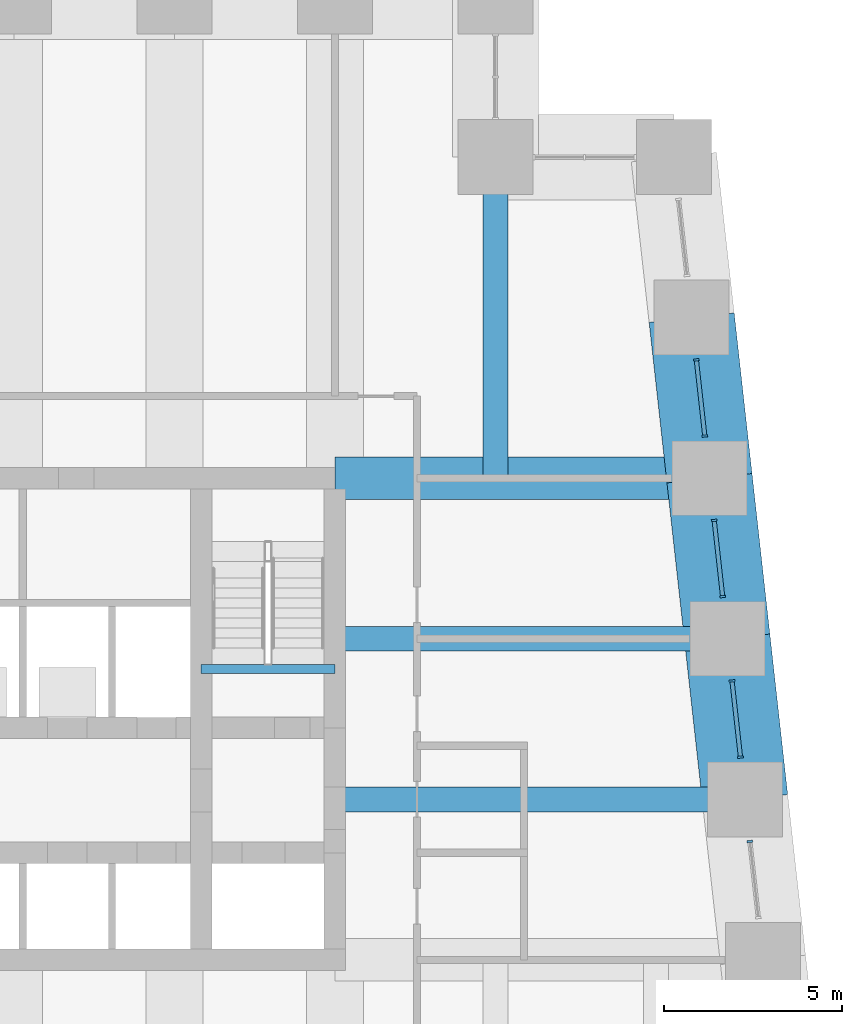
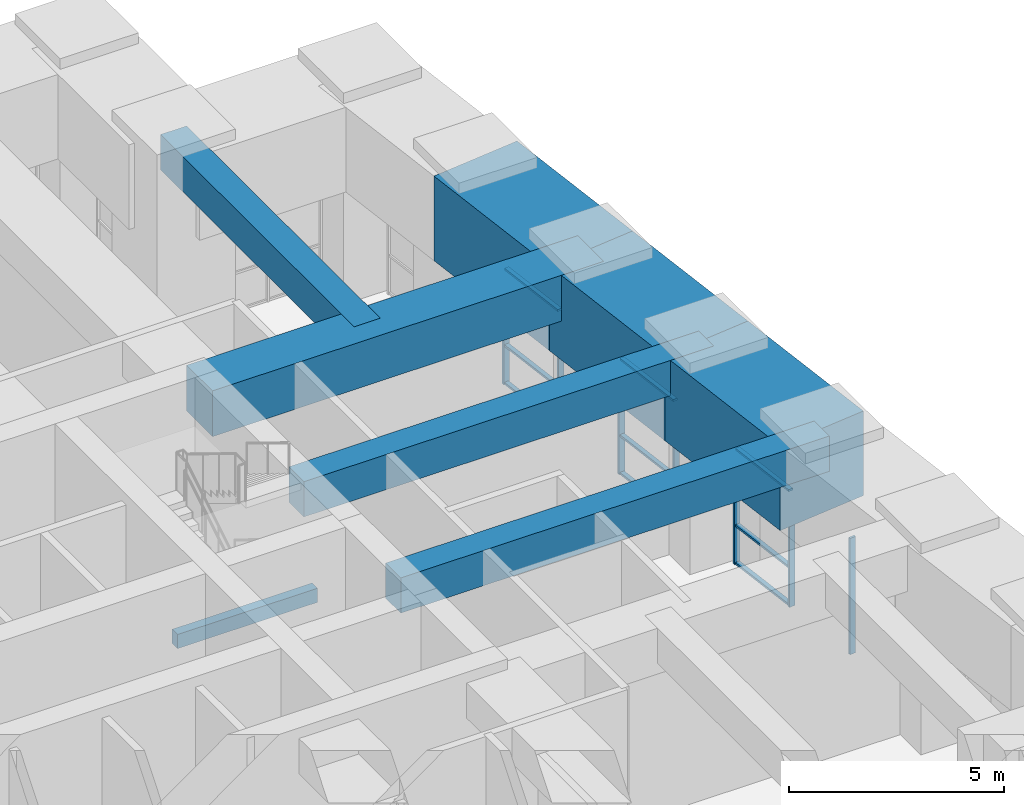
# One storey, part 6 of 17: 16 members, 8 beams, 4 elements without a shape of their own.
"""IFC4 building model written with IfcOpenShell, lengths in metres."""

from ifc_helpers import new_model, si_unit, direction, frame, origin, origin_2d, place, context, subcontext, project, spatial, rectangle, extrude, material, material_profile, profile_set, type_object, element, aggregate, save


model = new_model("IFC4")

# Units and contexts
model_context = context("Model", 3, precision=1e-05, world=origin(), true_north=direction((0.0, 1.0)))
body_context = subcontext(model_context, "Body", "Model", "MODEL_VIEW")
ifc_project = project(units=[si_unit("LENGTHUNIT", "METRE"), si_unit("AREAUNIT", "SQUARE_METRE"), si_unit("VOLUMEUNIT", "CUBIC_METRE"), si_unit("PLANEANGLEUNIT", "RADIAN"), si_unit("MASSUNIT", "GRAM", prefix="KILO")], contexts=[model_context])

# Site, building, storey
site_placement = place(None, origin())
site = spatial("IfcSite", under=ifc_project, at=site_placement, CompositionType="ELEMENT")
building_placement = place(site_placement, origin())
building = spatial("IfcBuilding", under=site, at=building_placement, Name="Kilele Tower Hotel", CompositionType="ELEMENT")
storey_placement = place(building_placement, frame((0.0, 0.0, 145.89990234375)))
storey = spatial("IfcBuildingStorey", under=building, at=storey_placement, Name="L38", CompositionType="ELEMENT", Elevation=145.89990234375)

# Beams
ifc_material_1 = material(Name="Concrete C60/75", Category="concrete")
ifc_material_profile_1 = material_profile(ifc_material_1, rectangle(XDim=0.699951171875, YDim=1.0, at=origin_2d()))
ifc_profile_set_1 = profile_set([ifc_material_profile_1], Name="Concrete C60/75")
beam_type_1 = type_object("IfcBeamType", Name="Beam RC 700x1000 C60/75 mid span", PredefinedType="BEAM", material=ifc_profile_set_1)
beam_1_placement = place(storey_placement, frame((47.5, 18.0, 5.2001953125), z_axis=(-1.0, 0.0, 0.0), x_axis=(0.0, -1.0, 0.0)))
element("IfcBeam", 1, at=beam_1_placement, inside=storey, type_object=beam_type_1, Name="Beam B5 level L39", PredefinedType="BEAM", context=body_context, shape_type="SweptSolid", body=[
    extrude(rectangle(XDim=0.699951171875, YDim=1.0, at=origin_2d()), origin(), (0.0, 0.0, 1.0), 11.5),
])
beam_2_placement = place(storey_placement, frame((47.0, 22.5, 5.2001953125), z_axis=(-1.0, 0.0, 0.0), x_axis=(0.0, -1.0, 0.0)))
element("IfcBeam", 2, at=beam_2_placement, inside=storey, type_object=beam_type_1, Name="Beam B5 level L39", PredefinedType="BEAM", context=body_context, shape_type="SweptSolid", body=[
    extrude(rectangle(XDim=0.699951171875, YDim=1.0, at=origin_2d()), origin(), (0.0, 0.0, 1.0), 11.0),
])
beam_3_placement = place(storey_placement, frame((40.5, 36.0, 5.2001953125), z_axis=(0.0, -1.0, 0.0), x_axis=(1.0, 0.0, 0.0)))
element("IfcBeam", 3, at=beam_3_placement, inside=storey, type_object=beam_type_1, Name="Beam B5 level L39", PredefinedType="BEAM", context=body_context, shape_type="SweptSolid", body=[
    extrude(rectangle(XDim=0.699951171875, YDim=1.0, at=origin_2d()), origin(), (0.0, 0.0, 1.0), 9.0),
])
ifc_material_2 = material(Name="Concrete C60/75", Category="concrete")
ifc_material_profile_2 = material_profile(ifc_material_2, rectangle(XDim=1.199951171875, YDim=1.300048828125, at=origin_2d()))
ifc_profile_set_2 = profile_set([ifc_material_profile_2], Name="Concrete C60/75")
beam_type_2 = type_object("IfcBeamType", Name="Girder RC 1200x1300 C60/75 mid span", PredefinedType="BEAM", material=ifc_profile_set_2)
beam_4_placement = place(storey_placement, frame((46.5, 27.0, 5.050048828125), z_axis=(-1.0, 0.0, 0.0), x_axis=(0.0, -1.0, 0.0)))
element("IfcBeam", 4, at=beam_4_placement, inside=storey, type_object=beam_type_2, Name="Girder G3 level L39", PredefinedType="BEAM", context=body_context, shape_type="SweptSolid", body=[
    extrude(rectangle(XDim=1.199951171875, YDim=1.300048828125, at=origin_2d()), origin(), (0.0, 0.0, 1.0), 10.5),
])
ifc_material_3 = material(Name="Concrete C40/50", Category="concrete")
ifc_material_profile_3 = material_profile(ifc_material_3, rectangle(XDim=0.25, YDim=0.39990234375, at=origin_2d()))
ifc_profile_set_3 = profile_set([ifc_material_profile_3], Name="Concrete C40/50")
beam_type_3 = type_object("IfcBeamType", Name="Landing beam RC 250x400 C40/50", PredefinedType="BEAM", material=ifc_profile_set_3)
beam_5_placement = place(storey_placement, frame((32.25, 21.64990234375, 2.857177734375), z_axis=(1.0, 0.0, 0.0), x_axis=(0.0, 1.0, 0.0)))
element("IfcBeam", 5, at=beam_5_placement, inside=storey, type_object=beam_type_3, Name="Landing beam ST2 L38", PredefinedType="BEAM", context=body_context, shape_type="SweptSolid", body=[
    extrude(rectangle(XDim=0.25, YDim=0.39990234375, at=origin_2d()), origin(), (0.0, 0.0, 1.0), 3.75),
])

# Curtain wall, member
ifc_material_4 = material(Name="Aluminium curtain wall, clear double glazing", Category="aluminium")
curtain_wall_type = type_object("IfcCurtainWallType", Name="Sky lobby curtain wall CW-3", PredefinedType="NOTDEFINED", material=ifc_material_4)
curtain_wall_1_placement = place(storey_placement, origin())
curtain_wall_1 = element("IfcCurtainWall", 6, at=curtain_wall_1_placement, inside=storey, type_object=curtain_wall_type, Name="Sky lobby curtain wall CW-3 L38", PredefinedType="NOTDEFINED")
ifc_material_5 = material(Name="Aluminium EN AW-6063 T6", Category="aluminium")
ifc_material_profile_4 = material_profile(ifc_material_5, rectangle(XDim=0.159912109375, YDim=0.06005859375, at=origin_2d()))
ifc_profile_set_4 = profile_set([ifc_material_profile_4], Name="Aluminium EN AW-6063 T6")
member_type_1 = type_object("IfcMemberType", Name="Mullion 60x160 CW-3", PredefinedType="MULLION", material=ifc_profile_set_4)
member_1_placement = place(storey_placement, frame((47.63134765625, 16.817626953125, 0.0), z_axis=(0.0, 0.0, 1.0), x_axis=(-0.993883734629, -0.110431526475, 0.0)))
member_1 = element("IfcMember", 7, at=member_1_placement, type_object=member_type_1, Name="CW-3 mullion 2", PredefinedType="MULLION", context=body_context, shape_type="SweptSolid", body=[
    extrude(rectangle(XDim=0.159912109375, YDim=0.06005859375, at=origin_2d()), origin(), (0.0, 0.0, 1.0), 3.300048828125),
])
aggregate(curtain_wall_1, [member_1])

# Curtain wall, members
curtain_wall_2_placement = place(storey_placement, origin())
curtain_wall_2 = element("IfcCurtainWall", 8, at=curtain_wall_2_placement, inside=storey, type_object=curtain_wall_type, Name="Sky lobby curtain wall CW-3 L38", PredefinedType="NOTDEFINED")
member_2_placement = place(storey_placement, frame((47.36865234375, 19.182373046875, 0.0), z_axis=(0.0, 0.0, 1.0), x_axis=(-0.993883734629, -0.110431526475, 0.0)))
member_2 = element("IfcMember", 9, at=member_2_placement, type_object=member_type_1, Name="CW-3 mullion 1", PredefinedType="MULLION", context=body_context, shape_type="SweptSolid", body=[
    extrude(rectangle(XDim=0.159912109375, YDim=0.06005859375, at=origin_2d()), origin(), (0.0, 0.0, 1.0), 3.300048828125),
])
member_3_placement = place(storey_placement, frame((47.13134765625, 21.317626953125, 0.0), z_axis=(0.0, 0.0, 1.0), x_axis=(-0.993883734629, -0.110431526475, 0.0)))
member_3 = element("IfcMember", 10, at=member_3_placement, type_object=member_type_1, Name="CW-3 mullion 2", PredefinedType="MULLION", context=body_context, shape_type="SweptSolid", body=[
    extrude(rectangle(XDim=0.159912109375, YDim=0.06005859375, at=origin_2d()), origin(), (0.0, 0.0, 1.0), 3.300048828125),
])

curtain_wall_3_placement = place(storey_placement, origin())
curtain_wall_3 = element("IfcCurtainWall", 11, at=curtain_wall_3_placement, inside=storey, type_object=curtain_wall_type, Name="Sky lobby curtain wall CW-3 L38", PredefinedType="NOTDEFINED")
member_4_placement = place(storey_placement, frame((46.86865234375, 23.682373046875, 0.0), z_axis=(0.0, 0.0, 1.0), x_axis=(-0.993883734629, -0.110431526475, 0.0)))
member_4 = element("IfcMember", 12, at=member_4_placement, type_object=member_type_1, Name="CW-3 mullion 1", PredefinedType="MULLION", context=body_context, shape_type="SweptSolid", body=[
    extrude(rectangle(XDim=0.159912109375, YDim=0.06005859375, at=origin_2d()), origin(), (0.0, 0.0, 1.0), 3.300048828125),
])
member_5_placement = place(storey_placement, frame((46.63134765625, 25.817626953125, 0.0), z_axis=(0.0, 0.0, 1.0), x_axis=(-0.993883734629, -0.110431526475, 0.0)))
member_5 = element("IfcMember", 13, at=member_5_placement, type_object=member_type_1, Name="CW-3 mullion 2", PredefinedType="MULLION", context=body_context, shape_type="SweptSolid", body=[
    extrude(rectangle(XDim=0.159912109375, YDim=0.06005859375, at=origin_2d()), origin(), (0.0, 0.0, 1.0), 3.300048828125),
])

curtain_wall_4_placement = place(storey_placement, origin())
curtain_wall_4 = element("IfcCurtainWall", 14, at=curtain_wall_4_placement, inside=storey, type_object=curtain_wall_type, Name="Sky lobby curtain wall CW-3 L38", PredefinedType="NOTDEFINED")
member_6_placement = place(storey_placement, frame((46.36865234375, 28.182373046875, 0.0), z_axis=(0.0, 0.0, 1.0), x_axis=(-0.993883734629, -0.110431526475, 0.0)))
member_6 = element("IfcMember", 15, at=member_6_placement, type_object=member_type_1, Name="CW-3 mullion 1", PredefinedType="MULLION", context=body_context, shape_type="SweptSolid", body=[
    extrude(rectangle(XDim=0.159912109375, YDim=0.06005859375, at=origin_2d()), origin(), (0.0, 0.0, 1.0), 3.300048828125),
])
member_7_placement = place(storey_placement, frame((46.13134765625, 30.317626953125, 0.0), z_axis=(0.0, 0.0, 1.0), x_axis=(-0.993883734629, -0.110431526475, 0.0)))
member_7 = element("IfcMember", 16, at=member_7_placement, type_object=member_type_1, Name="CW-3 mullion 2", PredefinedType="MULLION", context=body_context, shape_type="SweptSolid", body=[
    extrude(rectangle(XDim=0.159912109375, YDim=0.06005859375, at=origin_2d()), origin(), (0.0, 0.0, 1.0), 3.300048828125),
])

# Beams
ifc_material_6 = material(Name="Concrete C60/75", Category="concrete")
ifc_material_profile_5 = material_profile(ifc_material_6, rectangle(XDim=2.39990234375, YDim=2.39990234375, at=origin_2d()))
ifc_profile_set_5 = profile_set([ifc_material_profile_5], Name="Concrete C60/75")
beam_type_4 = type_object("IfcBeamType", Name="Spandrel RC 2400x2400 C60/75", PredefinedType="SPANDREL", material=ifc_profile_set_5)
for number, where, z_axis, x_axis, name in (
    (17, (47.5, 18.0, 4.5), (-0.110431526075, 0.993883734674, 0.0), (-0.993883734674, -0.110431526075, 0.0), "Spandrel SP15 level L39"),
    (18, (47.0, 22.5, 4.5), (-0.110431526075, 0.993883734674, 0.0), (-0.993883734674, -0.110431526075, 0.0), "Spandrel SP15 level L39"),
    (19, (46.5, 27.0, 4.5), (-0.110431526075, 0.993883734674, 0.0), (-0.993883734674, -0.110431526075, 0.0), "Spandrel SP15 level L39"),
):
    element("IfcBeam", number, at=place(storey_placement, frame(where, z_axis=z_axis, x_axis=x_axis)), inside=storey, type_object=beam_type_4, Name=name, PredefinedType="SPANDREL", context=body_context, shape_type="SweptSolid", body=[
        extrude(rectangle(XDim=2.39990234375, YDim=2.39990234375, at=origin_2d()), origin(), (0.0, 0.0, 1.0), 4.527587890625),
    ])

# Member
ifc_material_7 = material(Name="Aluminium EN AW-6063 T6", Category="aluminium")
ifc_material_profile_6 = material_profile(ifc_material_7, rectangle(XDim=0.1201171875, YDim=0.06005859375, at=origin_2d()))
ifc_profile_set_6 = profile_set([ifc_material_profile_6], Name="Aluminium EN AW-6063 T6")
member_type_2 = type_object("IfcMemberType", Name="Transom 60x120 CW-3", PredefinedType="USERDEFINED", material=ifc_profile_set_6)
member_8_placement = place(storey_placement, frame((47.365234375, 19.212158203125, 0.030029296875), z_axis=(-0.110354542159, 0.993892285424, 0.0), x_axis=(-0.993892285424, -0.110354542159, 0.0)))
member_8 = element("IfcMember", 20, at=member_8_placement, type_object=member_type_2, Name="CW-3 transom 1.1", ObjectType="TRANSOM", PredefinedType="USERDEFINED", context=body_context, shape_type="SweptSolid", body=[
    extrude(rectangle(XDim=0.1201171875, YDim=0.06005859375, at=origin_2d()), origin(), (0.0, 0.0, 1.0), 2.08837890625),
])

member_9_placement = place(storey_placement, frame((47.365234375, 19.212158203125, 1.10009765625), z_axis=(-0.110354542159, 0.993892285424, 0.0), x_axis=(-0.993892285424, -0.110354542159, 0.0)))
member_9 = element("IfcMember", 21, at=member_9_placement, type_object=member_type_2, Name="CW-3 transom 1.2", ObjectType="TRANSOM", PredefinedType="USERDEFINED", context=body_context, shape_type="SweptSolid", body=[
    extrude(rectangle(XDim=0.1201171875, YDim=0.06005859375, at=origin_2d()), origin(), (0.0, 0.0, 1.0), 2.08837890625),
])

member_10_placement = place(storey_placement, frame((47.365234375, 19.212158203125, 3.27001953125), z_axis=(-0.110354542159, 0.993892285424, 0.0), x_axis=(-0.993892285424, -0.110354542159, 0.0)))
member_10 = element("IfcMember", 22, at=member_10_placement, type_object=member_type_2, Name="CW-3 transom 1.3", ObjectType="TRANSOM", PredefinedType="USERDEFINED", context=body_context, shape_type="SweptSolid", body=[
    extrude(rectangle(XDim=0.1201171875, YDim=0.06005859375, at=origin_2d()), origin(), (0.0, 0.0, 1.0), 2.08837890625),
])

aggregate(curtain_wall_2, [member_2, member_3, member_8, member_9, member_10])

member_11_placement = place(storey_placement, frame((46.865234375, 23.712158203125, 0.030029296875), z_axis=(-0.110354542159, 0.993892285424, 0.0), x_axis=(-0.993892285424, -0.110354542159, 0.0)))
member_11 = element("IfcMember", 23, at=member_11_placement, type_object=member_type_2, Name="CW-3 transom 1.1", ObjectType="TRANSOM", PredefinedType="USERDEFINED", context=body_context, shape_type="SweptSolid", body=[
    extrude(rectangle(XDim=0.1201171875, YDim=0.06005859375, at=origin_2d()), origin(), (0.0, 0.0, 1.0), 2.08837890625),
])

member_12_placement = place(storey_placement, frame((46.865234375, 23.712158203125, 1.10009765625), z_axis=(-0.110354542159, 0.993892285424, 0.0), x_axis=(-0.993892285424, -0.110354542159, 0.0)))
member_12 = element("IfcMember", 24, at=member_12_placement, type_object=member_type_2, Name="CW-3 transom 1.2", ObjectType="TRANSOM", PredefinedType="USERDEFINED", context=body_context, shape_type="SweptSolid", body=[
    extrude(rectangle(XDim=0.1201171875, YDim=0.06005859375, at=origin_2d()), origin(), (0.0, 0.0, 1.0), 2.08837890625),
])

member_13_placement = place(storey_placement, frame((46.865234375, 23.712158203125, 3.27001953125), z_axis=(-0.110354542159, 0.993892285424, 0.0), x_axis=(-0.993892285424, -0.110354542159, 0.0)))
member_13 = element("IfcMember", 25, at=member_13_placement, type_object=member_type_2, Name="CW-3 transom 1.3", ObjectType="TRANSOM", PredefinedType="USERDEFINED", context=body_context, shape_type="SweptSolid", body=[
    extrude(rectangle(XDim=0.1201171875, YDim=0.06005859375, at=origin_2d()), origin(), (0.0, 0.0, 1.0), 2.08837890625),
])

aggregate(curtain_wall_3, [member_4, member_5, member_11, member_12, member_13])

member_14_placement = place(storey_placement, frame((46.365234375, 28.212158203125, 0.030029296875), z_axis=(-0.110354542159, 0.993892285424, 0.0), x_axis=(-0.993892285424, -0.110354542159, 0.0)))
member_14 = element("IfcMember", 26, at=member_14_placement, type_object=member_type_2, Name="CW-3 transom 1.1", ObjectType="TRANSOM", PredefinedType="USERDEFINED", context=body_context, shape_type="SweptSolid", body=[
    extrude(rectangle(XDim=0.1201171875, YDim=0.06005859375, at=origin_2d()), origin(), (0.0, 0.0, 1.0), 2.08837890625),
])

member_15_placement = place(storey_placement, frame((46.365234375, 28.212158203125, 1.10009765625), z_axis=(-0.110354542159, 0.993892285424, 0.0), x_axis=(-0.993892285424, -0.110354542159, 0.0)))
member_15 = element("IfcMember", 27, at=member_15_placement, type_object=member_type_2, Name="CW-3 transom 1.2", ObjectType="TRANSOM", PredefinedType="USERDEFINED", context=body_context, shape_type="SweptSolid", body=[
    extrude(rectangle(XDim=0.1201171875, YDim=0.06005859375, at=origin_2d()), origin(), (0.0, 0.0, 1.0), 2.08837890625),
])

member_16_placement = place(storey_placement, frame((46.365234375, 28.212158203125, 3.27001953125), z_axis=(-0.110354542159, 0.993892285424, 0.0), x_axis=(-0.993892285424, -0.110354542159, 0.0)))
member_16 = element("IfcMember", 28, at=member_16_placement, type_object=member_type_2, Name="CW-3 transom 1.3", ObjectType="TRANSOM", PredefinedType="USERDEFINED", context=body_context, shape_type="SweptSolid", body=[
    extrude(rectangle(XDim=0.1201171875, YDim=0.06005859375, at=origin_2d()), origin(), (0.0, 0.0, 1.0), 2.08837890625),
])

aggregate(curtain_wall_4, [member_6, member_7, member_14, member_15, member_16])

save(model, "model.ifc")
